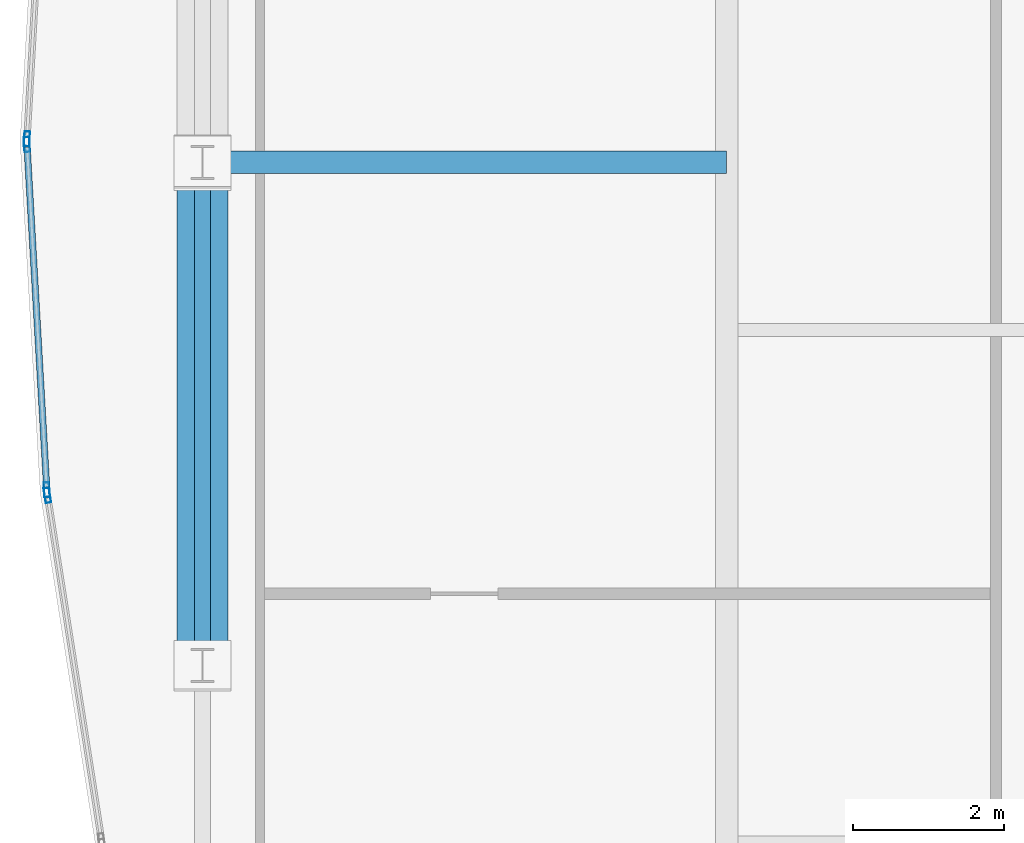
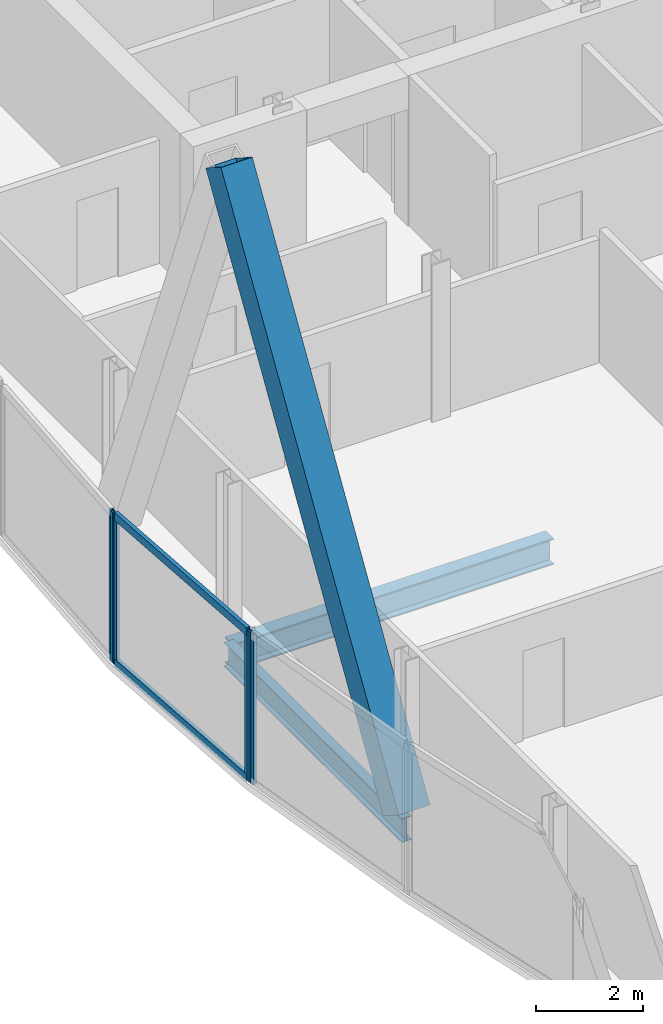
# One storey, part 9 of 29: 7 members, 2 beams, 3 elements without a shape of their own.
"""IFC4 building model written with IfcOpenShell, lengths in metres."""

from ifc_helpers import new_model, si_unit, direction, frame, origin, origin_2d, place, context, subcontext, project, spatial, hollow_rectangle, i_section, extrude, material, material_profile, profile_set, type_object, element, aggregate, save


model = new_model("IFC4")

# Units and contexts
model_context = context("Model", 3, precision=1e-05, world=origin(), true_north=direction((0.0, 1.0)))
body_context = subcontext(model_context, "Body", "Model", "MODEL_VIEW")
ifc_project = project(units=[si_unit("LENGTHUNIT", "METRE"), si_unit("AREAUNIT", "SQUARE_METRE"), si_unit("VOLUMEUNIT", "CUBIC_METRE"), si_unit("PLANEANGLEUNIT", "RADIAN"), si_unit("MASSUNIT", "GRAM", prefix="KILO")], contexts=[model_context])

# Site, building, storey
site_placement = place(None, origin())
site = spatial("IfcSite", under=ifc_project, at=site_placement, CompositionType="ELEMENT")
building_placement = place(site_placement, origin())
building = spatial("IfcBuilding", under=site, at=building_placement, Name="Khoronbel Lancet Exchange", CompositionType="ELEMENT")
storey_placement = place(building_placement, frame((0.0, 0.0, 314.60009765625)))
storey = spatial("IfcBuildingStorey", under=building, at=storey_placement, Name="L81", CompositionType="ELEMENT", Elevation=314.60009765625)

# Beams
ifc_material_1 = material(Name="Steel S355", Category="steel")
ifc_material_profile_1 = material_profile(ifc_material_1, i_section(OverallWidth=0.300048828125, OverallDepth=0.60009765625, WebThickness=0.015380859375, FlangeThickness=0.030029296875, at=origin_2d()), Name="HEB 600")
ifc_profile_set_1 = profile_set([ifc_material_profile_1], Name="Steel S355")
beam_type_1 = type_object("IfcBeamType", Name="BM-BG5", PredefinedType="BEAM", material=ifc_profile_set_1)
beam_1_placement = place(storey_placement, frame((11.27001953125, 31.425048828125, -0.460205078125), z_axis=(1.0, 0.0, 0.0), x_axis=(0.0, 1.0, 0.0)))
element("IfcBeam", 1, at=beam_1_placement, inside=storey, type_object=beam_type_1, Name="Level L81 west lens tie girder LG2W", PredefinedType="BEAM", context=body_context, shape_type="SweptSolid", body=[
    extrude(i_section(OverallWidth=0.300048828125, OverallDepth=0.60009765625, WebThickness=0.015380859375, FlangeThickness=0.030029296875, at=origin_2d()), origin(), (0.0, 0.0, 1.0), 6.955078125),
])
ifc_material_profile_2 = material_profile(ifc_material_1, i_section(OverallWidth=0.2099609375, OverallDepth=0.550048828125, WebThickness=0.010986328125, FlangeThickness=0.01708984375, at=origin_2d()), Name="IPE 550")
ifc_profile_set_2 = profile_set([ifc_material_profile_2], Name="Steel S355")
beam_type_2 = type_object("IfcBeamType", Name="BM-BSP3", PredefinedType="SPANDREL", material=ifc_profile_set_2)
beam_2_placement = place(storey_placement, frame((11.27001953125, 31.425048828125, -0.43505859375), z_axis=(0.0, -1.0, 0.0), x_axis=(1.0, 0.0, 0.0)))
element("IfcBeam", 2, at=beam_2_placement, inside=storey, type_object=beam_type_2, Name="Level L81 perimeter spandrel beam SP16", PredefinedType="SPANDREL", context=body_context, shape_type="SweptSolid", body=[
    extrude(i_section(OverallWidth=0.2099609375, OverallDepth=0.550048828125, WebThickness=0.010986328125, FlangeThickness=0.01708984375, at=origin_2d()), origin(), (0.0, 0.0, 1.0), 6.675048828125),
])

# Curtain wall, member
ifc_material_2 = material(Name="Low-E Solar Control Insulating Glass", Category="glass")
curtain_wall_type = type_object("IfcCurtainWallType", Name="CW-4", PredefinedType="NOTDEFINED", material=ifc_material_2)
curtain_wall_1_placement = place(storey_placement, origin())
curtain_wall_1 = element("IfcCurtainWall", 3, at=curtain_wall_1_placement, inside=storey, type_object=curtain_wall_type, Name="Unitised curtain wall CW-L81-E05", PredefinedType="NOTDEFINED")
ifc_material_3 = material(Name="Bronze-Anodised Aluminium 6063-T6", Category="aluminium")
ifc_material_profile_3 = material_profile(ifc_material_3, hollow_rectangle(XDim=0.074951171875, YDim=0.199951171875, WallThickness=0.0048828125, at=origin_2d()), Name="ALU MULLION 75x200")
ifc_profile_set_3 = profile_set([ifc_material_profile_3], Name="Bronze-Anodised Aluminium 6063-T6")
member_type_1 = type_object("IfcMemberType", Name="MEM-CWM2", PredefinedType="MULLION", material=ifc_profile_set_3)
member_1_placement = place(storey_placement, frame((9.211181640625, 27.005859375, 0.0), z_axis=(0.0, 0.0, 1.0), x_axis=(-0.987888641158, -0.155164534193, 0.0)))
member_1 = element("IfcMember", 4, at=member_1_placement, type_object=member_type_1, Name="CW4 mullion 2", PredefinedType="MULLION", context=body_context, shape_type="SweptSolid", body=[
    extrude(hollow_rectangle(XDim=0.074951171875, YDim=0.199951171875, WallThickness=0.0048828125, at=origin_2d()), origin(), (0.0, 0.0, 1.0), 3.43994140625),
])
aggregate(curtain_wall_1, [member_1])

# Curtain wall, members
curtain_wall_2_placement = place(storey_placement, origin())
curtain_wall_2 = element("IfcCurtainWall", 5, at=curtain_wall_2_placement, inside=storey, type_object=curtain_wall_type, Name="Unitised curtain wall CW-L81-E06", PredefinedType="NOTDEFINED")
member_2_placement = place(storey_placement, frame((9.203125, 27.080322265625, 0.0), z_axis=(0.0, 0.0, 1.0), x_axis=(-0.998350757179, -0.057408759259, 0.0)))
member_2 = element("IfcMember", 6, at=member_2_placement, type_object=member_type_1, Name="CW4 mullion 1", PredefinedType="MULLION", context=body_context, shape_type="SweptSolid", body=[
    extrude(hollow_rectangle(XDim=0.074951171875, YDim=0.199951171875, WallThickness=0.0048828125, at=origin_2d()), origin(), (0.0, 0.0, 1.0), 3.43994140625),
])
member_3_placement = place(storey_placement, frame((8.939697265625, 31.66259765625, 0.0), z_axis=(0.0, 0.0, 1.0), x_axis=(-0.998350757179, -0.057408759259, 0.0)))
member_3 = element("IfcMember", 7, at=member_3_placement, type_object=member_type_1, Name="CW4 mullion 2", PredefinedType="MULLION", context=body_context, shape_type="SweptSolid", body=[
    extrude(hollow_rectangle(XDim=0.074951171875, YDim=0.199951171875, WallThickness=0.0048828125, at=origin_2d()), origin(), (0.0, 0.0, 1.0), 3.43994140625),
])

# Curtain wall, member
curtain_wall_3_placement = place(storey_placement, origin())
curtain_wall_3 = element("IfcCurtainWall", 8, at=curtain_wall_3_placement, inside=storey, type_object=curtain_wall_type, Name="Unitised curtain wall CW-L81-E07", PredefinedType="NOTDEFINED")
member_4_placement = place(storey_placement, frame((8.939697265625, 31.737548828125, 0.0), z_axis=(0.0, 0.0, 1.0), x_axis=(-0.998350757179, 0.057408759259, 0.0)))
member_4 = element("IfcMember", 9, at=member_4_placement, type_object=member_type_1, Name="CW4 mullion 1", PredefinedType="MULLION", context=body_context, shape_type="SweptSolid", body=[
    extrude(hollow_rectangle(XDim=0.074951171875, YDim=0.199951171875, WallThickness=0.0048828125, at=origin_2d()), origin(), (0.0, 0.0, 1.0), 3.43994140625),
])
aggregate(curtain_wall_3, [member_4])

# Member
ifc_material_profile_4 = material_profile(ifc_material_3, hollow_rectangle(XDim=0.0849609375, YDim=0.179931640625, WallThickness=0.0048828125, at=origin_2d()), Name="ALU TRANSOM 85x180")
ifc_profile_set_4 = profile_set([ifc_material_profile_4], Name="Bronze-Anodised Aluminium 6063-T6")
member_type_2 = type_object("IfcMemberType", Name="MEM-CWT1", PredefinedType="USERDEFINED", material=ifc_profile_set_4)
member_5_placement = place(storey_placement, frame((9.200927734375, 27.11767578125, 0.04248046875), z_axis=(-0.057371630715, 0.998352891511, 0.0), x_axis=(-0.998352891511, -0.057371630715, 0.0)))
member_5 = element("IfcMember", 10, at=member_5_placement, type_object=member_type_2, Name="CW4 transom 1.1", ObjectType="TRANSOM", PredefinedType="USERDEFINED", context=body_context, shape_type="SweptSolid", body=[
    extrude(hollow_rectangle(XDim=0.0849609375, YDim=0.179931640625, WallThickness=0.0048828125, at=origin_2d()), origin(), (0.0, 0.0, 1.0), 4.514892578125),
])

member_6_placement = place(storey_placement, frame((9.200927734375, 27.11767578125, 3.3974609375), z_axis=(-0.057371630715, 0.998352891511, 0.0), x_axis=(-0.998352891511, -0.057371630715, 0.0)))
member_6 = element("IfcMember", 11, at=member_6_placement, type_object=member_type_2, Name="CW4 transom 1.2", ObjectType="TRANSOM", PredefinedType="USERDEFINED", context=body_context, shape_type="SweptSolid", body=[
    extrude(hollow_rectangle(XDim=0.0849609375, YDim=0.179931640625, WallThickness=0.0048828125, at=origin_2d()), origin(), (0.0, 0.0, 1.0), 4.514892578125),
])

aggregate(curtain_wall_2, [member_2, member_3, member_5, member_6])

ifc_material_4 = material(Name="Steel S460", Category="steel")
ifc_material_profile_5 = material_profile(ifc_material_4, hollow_rectangle(XDim=0.679931640625, YDim=0.679931640625, WallThickness=0.044921875, at=origin_2d()), Name="BOX 680x680x45")
ifc_profile_set_5 = profile_set([ifc_material_profile_5], Name="Steel S460")
member_type_3 = type_object("IfcMemberType", Name="MEM-MB3", PredefinedType="BRACE", material=ifc_profile_set_5)
member_7_placement = place(storey_placement, frame((11.27001953125, 24.75, 0.0), z_axis=(0.0, 0.525754049787, 0.850636631666), x_axis=(-1.0, 0.0, 0.0)))
element("IfcMember", 12, at=member_7_placement, inside=storey, type_object=member_type_3, Name="Perimeter lancet brace tier 28 W-P-L", PredefinedType="BRACE", context=body_context, shape_type="SweptSolid", body=[
    extrude(hollow_rectangle(XDim=0.679931640625, YDim=0.679931640625, WallThickness=0.044921875, at=origin_2d()), origin(), (0.0, 0.0, 1.0), 12.696044921875),
])

save(model, "model.ifc")
